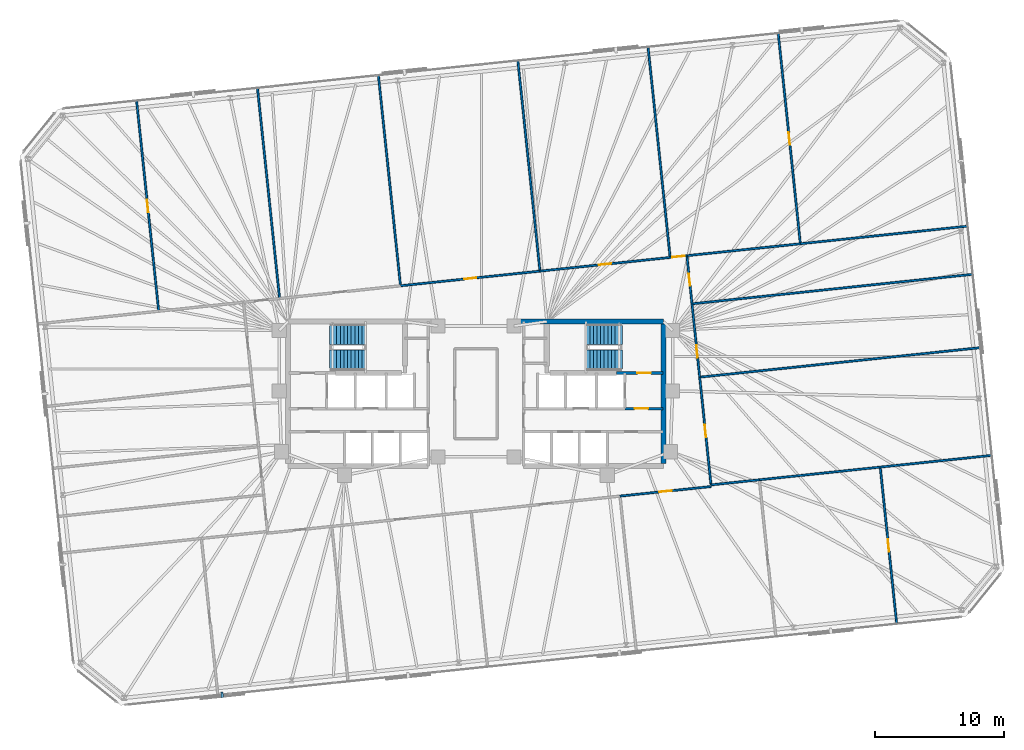
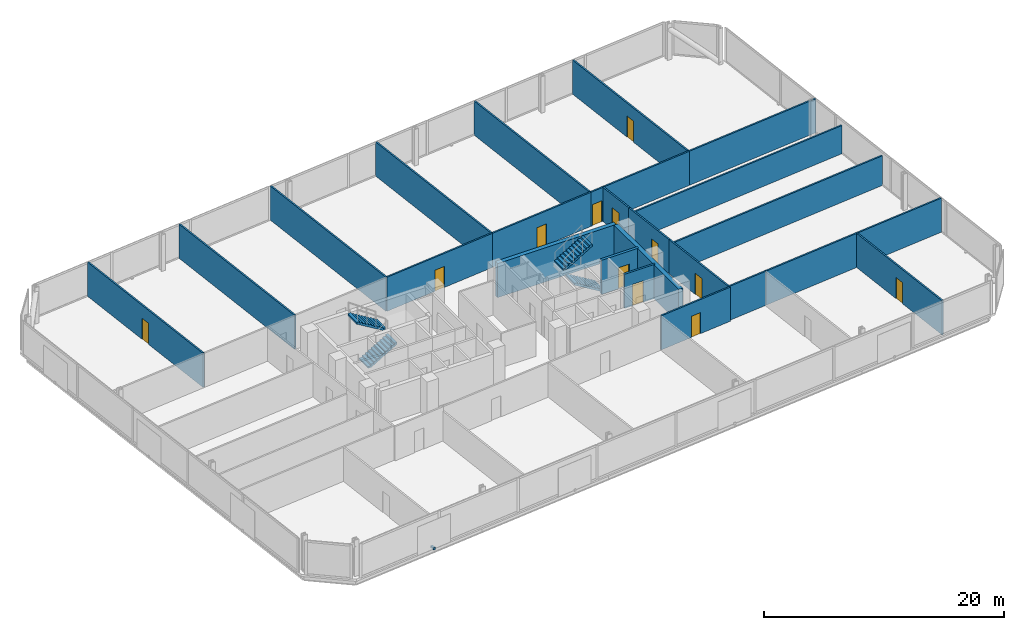
# One storey, part 16 of 18: 25 walls, 12 doors, 4 stair flights, 1 discrete accessory, 12 openings, 2 elements without a shape of their own.
"""IFC4 building model written with IfcOpenShell, lengths in metres."""

from ifc_helpers import new_model, si_unit, direction, frame, frame_2d, origin, origin_2d, place, context, subcontext, project, spatial, polyline, rectangle, outline, extrude, material, layer, layer_set, type_object, element, fill, aggregate, save


model = new_model("IFC4")

# Units and contexts
model_context = context("Model", 3, precision=1e-05, world=origin(), true_north=direction((0.0, 1.0)))
body_context = subcontext(model_context, "Body", "Model", "MODEL_VIEW")
ifc_project = project(units=[si_unit("LENGTHUNIT", "METRE"), si_unit("AREAUNIT", "SQUARE_METRE"), si_unit("VOLUMEUNIT", "CUBIC_METRE"), si_unit("PLANEANGLEUNIT", "RADIAN"), si_unit("MASSUNIT", "GRAM", prefix="KILO")], contexts=[model_context])

# Site, building, storey
site_placement = place(None, origin())
site = spatial("IfcSite", under=ifc_project, at=site_placement, CompositionType="ELEMENT")
building_placement = place(site_placement, origin())
building = spatial("IfcBuilding", under=site, at=building_placement, Name="Menara Jurai Vektor", CompositionType="ELEMENT")
storey_placement = place(building_placement, frame((0.0, 0.0, 120.699951171875)))
storey = spatial("IfcBuildingStorey", under=building, at=storey_placement, Name="L30", CompositionType="ELEMENT", Elevation=120.699951171875)

# Wall, opening, door
ifc_material_1 = material(Name="Concrete C40/50", Category="concrete")
ifc_layer_1 = layer(ifc_material_1, 0.25)
ifc_layer_set_1 = layer_set([ifc_layer_1], Name="Concrete C40/50")
wall_type_1 = type_object("IfcWallType", Name="INT-WALL-CORE-250", PredefinedType="STANDARD", material=ifc_layer_set_1)
wall_1_placement = place(storey_placement, frame((10.89990234375, 1.60009765625, 0.0), z_axis=(0.0, 0.0, 1.0), x_axis=(1.0, 0.0, 0.0)))
wall_1 = element("IfcWall", 1, at=wall_1_placement, inside=storey, type_object=wall_type_1, Name="Interior Wall IW-250 L30", PredefinedType="STANDARD", context=body_context, shape_type="SweptSolid", body=[
    extrude(rectangle(XDim=3.60009765625, YDim=0.25, at=frame_2d((1.800048828125, 0.0))), origin(), (0.0, 0.0, 1.0), 3.47509765625),
])
opening_1_placement = place(wall_1_placement, frame((1.6201171875, 0.0, 0.0)))
opening_1 = element("IfcOpeningElement", 2, at=opening_1_placement, cuts=wall_1, Name="Opening D-L30-ST2", PredefinedType="OPENING", context=body_context, shape_type="SweptSolid", body=[
    extrude(rectangle(XDim=1.050048828125, YDim=2.14990234375, at=frame_2d((0.52490234375, 1.074951171875))), frame((0.0, 0.135009765625, 0.0), z_axis=(0.0, -1.0, 0.0), x_axis=(1.0, 0.0, 0.0)), (0.0, 0.0, 1.0), 0.27001953125),
])
ifc_material_2 = material(Name="Fire-Rated Steel Door", Category="steel")
door_type_1 = type_object("IfcDoorType", Name="DR-STAIR-1050", OperationType="NOTDEFINED", PredefinedType="DOOR", material=ifc_material_2)
door_1_placement = place(opening_1_placement, origin())
door_1 = element("IfcDoor", 3, at=door_1_placement, inside=storey, type_object=door_type_1, Name="Exit Stair ST2 Door L30", OperationType="SINGLE_SWING_LEFT", OverallHeight=2.14990234375, OverallWidth=1.050048828125, PredefinedType="DOOR", context=body_context, shape_type="SweptSolid", body=[
    extrude(rectangle(XDim=1.050048828125, YDim=2.14990234375, at=frame_2d((0.52490234375, 1.074951171875))), frame((0.0, 0.02490234375, 0.0), z_axis=(0.0, -1.0, 0.0), x_axis=(1.0, 0.0, 0.0)), (0.0, 0.0, 1.0), 0.050048828125),
])
fill(opening_1, door_1)

wall_2_placement = place(storey_placement, frame((11.550048828125, -1.14990234375, 0.0), z_axis=(0.0, 0.0, 1.0), x_axis=(1.0, 0.0, 0.0)))
wall_2 = element("IfcWall", 4, at=wall_2_placement, inside=storey, type_object=wall_type_1, Name="Interior Wall IW-250 L30", PredefinedType="STANDARD", context=body_context, shape_type="SweptSolid", body=[
    extrude(rectangle(XDim=2.949951171875, YDim=0.199951171875, at=frame_2d((1.47509765625, 0.0))), origin(), (0.0, 0.0, 1.0), 3.47509765625),
])
opening_2_placement = place(wall_2_placement, frame((0.75, 0.0, 0.0)))
opening_2 = element("IfcOpeningElement", 5, at=opening_2_placement, cuts=wall_2, Name="Opening D-L30-FFE", PredefinedType="OPENING", context=body_context, shape_type="SweptSolid", body=[
    extrude(rectangle(XDim=1.050048828125, YDim=2.179931640625, at=frame_2d((0.52490234375, 1.08984375))), frame((0.0, 0.10986328125, 0.0), z_axis=(0.0, -1.0, 0.0), x_axis=(1.0, 0.0, 0.0)), (0.0, 0.0, 1.0), 0.219970703125),
])
ifc_material_3 = material(Name="Fire-Rated Timber Door", Category="wood")
door_type_2 = type_object("IfcDoorType", Name="DR-LOBBY-1050", OperationType="NOTDEFINED", PredefinedType="DOOR", material=ifc_material_3)
door_2_placement = place(opening_2_placement, origin())
door_2 = element("IfcDoor", 6, at=door_2_placement, inside=storey, type_object=door_type_2, Name="Fire Lift Lobby Door E L30", OperationType="SINGLE_SWING_LEFT", OverallHeight=2.179931640625, OverallWidth=1.050048828125, PredefinedType="DOOR", context=body_context, shape_type="SweptSolid", body=[
    extrude(rectangle(XDim=1.050048828125, YDim=2.179931640625, at=frame_2d((0.52490234375, 1.08984375))), frame((0.0, 0.02490234375, 0.0), z_axis=(0.0, -1.0, 0.0), x_axis=(1.0, 0.0, 0.0)), (0.0, 0.0, 1.0), 0.050048828125),
])
fill(opening_2, door_2)

ifc_material_4 = material(Name="Gypsum Fireboard Partition", Category="gypsum")
ifc_layer_2 = layer(ifc_material_4, 0.14990234375)
ifc_layer_set_2 = layer_set([ifc_layer_2], Name="Gypsum Fireboard Partition")
wall_type_2 = type_object("IfcWallType", Name="INT-WALL-CORR-150", PredefinedType="PARTITIONING", material=ifc_layer_set_2)
wall_3_placement = place(storey_placement, frame((-5.846435546875, 8.369873046875, 0.0), z_axis=(0.0, 0.0, 1.0), x_axis=(0.994522169869, 0.104525851533, 0.0)))
wall_3 = element("IfcWall", 7, at=wall_3_placement, inside=storey, type_object=wall_type_2, Name="Interior Wall IW-150 L30", PredefinedType="PARTITIONING", context=body_context, shape_type="SweptSolid", body=[
    extrude(rectangle(XDim=10.875, YDim=0.14990234375, at=frame_2d((5.4375, 0.0))), origin(), (0.0, 0.0, 1.0), 3.47509765625),
])
opening_3_placement = place(wall_3_placement, frame((4.96240234375, 0.0, 0.0)))
opening_3 = element("IfcOpeningElement", 8, at=opening_3_placement, cuts=wall_3, Name="Opening D30-09", PredefinedType="OPENING", context=body_context, shape_type="SweptSolid", body=[
    extrude(rectangle(XDim=0.949951171875, YDim=2.14990234375, at=frame_2d((0.47509765625, 1.074951171875))), frame((0.0, 0.0849609375, 0.0), z_axis=(0.0, -1.0, 0.0), x_axis=(1.0, 0.0, 0.0)), (0.0, 0.0, 1.0), 0.169921875),
])
ifc_material_5 = material(Name="Solid Core Timber Fire Door", Category="wood")
door_type_3 = type_object("IfcDoorType", Name="DR-ENTRY-950", OperationType="NOTDEFINED", PredefinedType="DOOR", material=ifc_material_5)
door_3_placement = place(opening_3_placement, origin())
door_3 = element("IfcDoor", 9, at=door_3_placement, inside=storey, type_object=door_type_3, Name="Interior Door D30-09", OperationType="SINGLE_SWING_RIGHT", OverallHeight=2.14990234375, OverallWidth=0.949951171875, PredefinedType="DOOR", context=body_context, shape_type="SweptSolid", body=[
    extrude(rectangle(XDim=0.949951171875, YDim=2.14990234375, at=frame_2d((0.47509765625, 1.074951171875))), frame((0.0, 0.02490234375, 0.0), z_axis=(0.0, -1.0, 0.0), x_axis=(1.0, 0.0, 0.0)), (0.0, 0.0, 1.0), 0.050048828125),
])
fill(opening_3, door_3)

wall_4_placement = place(storey_placement, frame((4.968994140625, 9.506591796875, 0.0), z_axis=(0.0, 0.0, 1.0), x_axis=(0.994521257273, 0.104534534165, 0.0)))
wall_4 = element("IfcWall", 10, at=wall_4_placement, inside=storey, type_object=wall_type_2, Name="Interior Wall IW-150 L30", PredefinedType="PARTITIONING", context=body_context, shape_type="SweptSolid", body=[
    extrude(rectangle(XDim=10.150146484375, YDim=0.14990234375, at=frame_2d((5.0751953125, 0.0))), origin(), (0.0, 0.0, 1.0), 3.47509765625),
])
opening_4_placement = place(wall_4_placement, frame((4.60009765625, 0.0, 0.0)))
opening_4 = element("IfcOpeningElement", 11, at=opening_4_placement, cuts=wall_4, Name="Opening D30-10", PredefinedType="OPENING", context=body_context, shape_type="SweptSolid", body=[
    extrude(rectangle(XDim=0.949951171875, YDim=2.14990234375, at=frame_2d((0.47509765625, 1.074951171875))), frame((0.0, 0.0849609375, 0.0), z_axis=(0.0, -1.0, 0.0), x_axis=(1.0, 0.0, 0.0)), (0.0, 0.0, 1.0), 0.169921875),
])
door_4_placement = place(opening_4_placement, origin())
door_4 = element("IfcDoor", 12, at=door_4_placement, inside=storey, type_object=door_type_3, Name="Interior Door D30-10", OperationType="SINGLE_SWING_LEFT", OverallHeight=2.14990234375, OverallWidth=0.949951171875, PredefinedType="DOOR", context=body_context, shape_type="SweptSolid", body=[
    extrude(rectangle(XDim=0.949951171875, YDim=2.14990234375, at=frame_2d((0.47509765625, 1.074951171875))), frame((0.0, 0.02490234375, 0.0), z_axis=(0.0, -1.0, 0.0), x_axis=(1.0, 0.0, 0.0)), (0.0, 0.0, 1.0), 0.050048828125),
])
fill(opening_4, door_4)

wall_5_placement = place(storey_placement, frame((15.0634765625, 10.567626953125, 0.0), z_axis=(0.0, 0.0, 1.0), x_axis=(0.994533054704, 0.104422234707, 0.0)))
wall_5 = element("IfcWall", 13, at=wall_5_placement, inside=storey, type_object=wall_type_2, Name="Interior Wall IW-150 L30", PredefinedType="PARTITIONING", context=body_context, shape_type="SweptSolid", body=[
    extrude(rectangle(XDim=1.306884765625, YDim=0.14990234375, at=frame_2d((0.6533203125, 0.0))), origin(), (0.0, 0.0, 1.0), 3.47509765625),
])
opening_5_placement = place(wall_5_placement, frame((0.178466796875, 0.0, 0.0)))
opening_5 = element("IfcOpeningElement", 14, at=opening_5_placement, cuts=wall_5, Name="Opening D30-11", PredefinedType="OPENING", context=body_context, shape_type="SweptSolid", body=[
    extrude(rectangle(XDim=0.949951171875, YDim=2.14990234375, at=frame_2d((0.47509765625, 1.074951171875))), frame((0.0, 0.0849609375, 0.0), z_axis=(0.0, -1.0, 0.0), x_axis=(1.0, 0.0, 0.0)), (0.0, 0.0, 1.0), 0.169921875),
])
door_5_placement = place(opening_5_placement, origin())
door_5 = element("IfcDoor", 15, at=door_5_placement, inside=storey, type_object=door_type_3, Name="Interior Door D30-11", OperationType="SINGLE_SWING_RIGHT", OverallHeight=2.14990234375, OverallWidth=0.949951171875, PredefinedType="DOOR", context=body_context, shape_type="SweptSolid", body=[
    extrude(rectangle(XDim=0.949951171875, YDim=2.14990234375, at=frame_2d((0.47509765625, 1.074951171875))), frame((0.0, 0.02490234375, 0.0), z_axis=(0.0, -1.0, 0.0), x_axis=(1.0, 0.0, 0.0)), (0.0, 0.0, 1.0), 0.050048828125),
])
fill(opening_5, door_5)

wall_6_placement = place(storey_placement, frame((11.176513671875, -7.93798828125, 0.0), z_axis=(0.0, 0.0, 1.0), x_axis=(0.994525011473, 0.104498811264, 0.0)))
wall_6 = element("IfcWall", 16, at=wall_6_placement, inside=storey, type_object=wall_type_2, Name="Interior Wall IW-150 L30", PredefinedType="PARTITIONING", context=body_context, shape_type="SweptSolid", body=[
    extrude(rectangle(XDim=7.10693359375, YDim=0.14990234375, at=frame_2d((3.553466796875, 0.0))), origin(), (0.0, 0.0, 1.0), 3.47509765625),
])
opening_6_placement = place(wall_6_placement, frame((3.07861328125, 0.0, 0.0)))
opening_6 = element("IfcOpeningElement", 17, at=opening_6_placement, cuts=wall_6, Name="Opening D30-15", PredefinedType="OPENING", context=body_context, shape_type="SweptSolid", body=[
    extrude(rectangle(XDim=0.949951171875, YDim=2.14990234375, at=frame_2d((0.47509765625, 1.074951171875))), frame((0.0, 0.0849609375, 0.0), z_axis=(0.0, -1.0, 0.0), x_axis=(1.0, 0.0, 0.0)), (0.0, 0.0, 1.0), 0.169921875),
])
door_6_placement = place(opening_6_placement, origin())
door_6 = element("IfcDoor", 18, at=door_6_placement, inside=storey, type_object=door_type_3, Name="Interior Door D30-15", OperationType="SINGLE_SWING_RIGHT", OverallHeight=2.14990234375, OverallWidth=0.949951171875, PredefinedType="DOOR", context=body_context, shape_type="SweptSolid", body=[
    extrude(rectangle(XDim=0.949951171875, YDim=2.14990234375, at=frame_2d((0.47509765625, 1.074951171875))), frame((0.0, 0.02490234375, 0.0), z_axis=(0.0, -1.0, 0.0), x_axis=(1.0, 0.0, 0.0)), (0.0, 0.0, 1.0), 0.050048828125),
])
fill(opening_6, door_6)

wall_7_placement = place(storey_placement, frame((18.231201171875, -7.06787109375, 0.0), z_axis=(0.0, 0.0, 1.0), x_axis=(-0.104527419485, 0.994522005074, 0.0)))
wall_7 = element("IfcWall", 19, at=wall_7_placement, inside=storey, type_object=wall_type_2, Name="Interior Wall IW-150 L30", PredefinedType="PARTITIONING", context=body_context, shape_type="SweptSolid", body=[
    extrude(rectangle(XDim=8.39892578125, YDim=0.14990234375, at=frame_2d((4.199462890625, 0.0))), origin(), (0.0, 0.0, 1.0), 3.47509765625),
])
opening_7_placement = place(wall_7_placement, frame((3.724609375, 0.0, 0.0)))
opening_7 = element("IfcOpeningElement", 20, at=opening_7_placement, cuts=wall_7, Name="Opening D30-20", PredefinedType="OPENING", context=body_context, shape_type="SweptSolid", body=[
    extrude(rectangle(XDim=0.949951171875, YDim=2.14990234375, at=frame_2d((0.47509765625, 1.074951171875))), frame((0.0, 0.0849609375, 0.0), z_axis=(0.0, -1.0, 0.0), x_axis=(1.0, 0.0, 0.0)), (0.0, 0.0, 1.0), 0.169921875),
])
door_7_placement = place(opening_7_placement, origin())
door_7 = element("IfcDoor", 21, at=door_7_placement, inside=storey, type_object=door_type_3, Name="Interior Door D30-20", OperationType="SINGLE_SWING_LEFT", OverallHeight=2.14990234375, OverallWidth=0.949951171875, PredefinedType="DOOR", context=body_context, shape_type="SweptSolid", body=[
    extrude(rectangle(XDim=0.949951171875, YDim=2.14990234375, at=frame_2d((0.47509765625, 1.074951171875))), frame((0.0, 0.02490234375, 0.0), z_axis=(0.0, -1.0, 0.0), x_axis=(1.0, 0.0, 0.0)), (0.0, 0.0, 1.0), 0.050048828125),
])
fill(opening_7, door_7)

wall_8_placement = place(storey_placement, frame((17.353271484375, 1.28515625, 0.0), z_axis=(0.0, 0.0, 1.0), x_axis=(-0.104524753323, 0.994522285292, 0.0)))
wall_8 = element("IfcWall", 22, at=wall_8_placement, inside=storey, type_object=wall_type_2, Name="Interior Wall IW-150 L30", PredefinedType="PARTITIONING", context=body_context, shape_type="SweptSolid", body=[
    extrude(rectangle(XDim=5.7177734375, YDim=0.14990234375, at=frame_2d((2.85888671875, 0.0))), origin(), (0.0, 0.0, 1.0), 3.47509765625),
])
opening_8_placement = place(wall_8_placement, frame((1.5263671875, 0.0, 0.0)))
opening_8 = element("IfcOpeningElement", 23, at=opening_8_placement, cuts=wall_8, Name="Opening D30-21", PredefinedType="OPENING", context=body_context, shape_type="SweptSolid", body=[
    extrude(rectangle(XDim=0.949951171875, YDim=2.14990234375, at=frame_2d((0.47509765625, 1.074951171875))), frame((0.0, 0.0849609375, 0.0), z_axis=(0.0, -1.0, 0.0), x_axis=(1.0, 0.0, 0.0)), (0.0, 0.0, 1.0), 0.169921875),
])
door_8_placement = place(opening_8_placement, origin())
door_8 = element("IfcDoor", 24, at=door_8_placement, inside=storey, type_object=door_type_3, Name="Interior Door D30-21", OperationType="SINGLE_SWING_RIGHT", OverallHeight=2.14990234375, OverallWidth=0.949951171875, PredefinedType="DOOR", context=body_context, shape_type="SweptSolid", body=[
    extrude(rectangle(XDim=0.949951171875, YDim=2.14990234375, at=frame_2d((0.47509765625, 1.074951171875))), frame((0.0, 0.02490234375, 0.0), z_axis=(0.0, -1.0, 0.0), x_axis=(1.0, 0.0, 0.0)), (0.0, 0.0, 1.0), 0.050048828125),
])
fill(opening_8, door_8)

wall_9_placement = place(storey_placement, frame((16.755615234375, 6.9716796875, 0.0), z_axis=(0.0, 0.0, 1.0), x_axis=(-0.104539173002, 0.994520769671, 0.0)))
wall_9 = element("IfcWall", 25, at=wall_9_placement, inside=storey, type_object=wall_type_2, Name="Interior Wall IW-150 L30", PredefinedType="PARTITIONING", context=body_context, shape_type="SweptSolid", body=[
    extrude(rectangle(XDim=3.7529296875, YDim=0.14990234375, at=frame_2d((1.87646484375, 0.0))), origin(), (0.0, 0.0, 1.0), 3.47509765625),
])
opening_9_placement = place(wall_9_placement, frame((1.401611328125, 0.0, 0.0)))
opening_9 = element("IfcOpeningElement", 26, at=opening_9_placement, cuts=wall_9, Name="Opening D30-22", PredefinedType="OPENING", context=body_context, shape_type="SweptSolid", body=[
    extrude(rectangle(XDim=0.949951171875, YDim=2.14990234375, at=frame_2d((0.47509765625, 1.074951171875))), frame((0.0, 0.0849609375, 0.0), z_axis=(0.0, -1.0, 0.0), x_axis=(1.0, 0.0, 0.0)), (0.0, 0.0, 1.0), 0.169921875),
])
door_9_placement = place(opening_9_placement, origin())
door_9 = element("IfcDoor", 27, at=door_9_placement, inside=storey, type_object=door_type_3, Name="Interior Door D30-22", OperationType="SINGLE_SWING_LEFT", OverallHeight=2.14990234375, OverallWidth=0.949951171875, PredefinedType="DOOR", context=body_context, shape_type="SweptSolid", body=[
    extrude(rectangle(XDim=0.949951171875, YDim=2.14990234375, at=frame_2d((0.47509765625, 1.074951171875))), frame((0.0, 0.02490234375, 0.0), z_axis=(0.0, -1.0, 0.0), x_axis=(1.0, 0.0, 0.0)), (0.0, 0.0, 1.0), 0.050048828125),
])
fill(opening_9, door_9)

wall_10_placement = place(storey_placement, frame((-24.593017578125, 6.3994140625, 0.0), z_axis=(0.0, 0.0, 1.0), x_axis=(-0.104534533453, 0.994521257347, 0.0)))
wall_10 = element("IfcWall", 28, at=wall_10_placement, inside=storey, type_object=wall_type_2, Name="Interior Wall IW-150 L30", PredefinedType="PARTITIONING", context=body_context, shape_type="SweptSolid", body=[
    extrude(rectangle(XDim=16.4091796875, YDim=0.14990234375, at=frame_2d((8.20458984375, 0.0))), origin(), (0.0, 0.0, 1.0), 3.47509765625),
])
opening_10_placement = place(wall_10_placement, frame((7.7294921875, 0.0, 0.0)))
opening_10 = element("IfcOpeningElement", 29, at=opening_10_placement, cuts=wall_10, Name="Opening D30-23", PredefinedType="OPENING", context=body_context, shape_type="SweptSolid", body=[
    extrude(rectangle(XDim=0.949951171875, YDim=2.14990234375, at=frame_2d((0.47509765625, 1.074951171875))), frame((0.0, 0.0849609375, 0.0), z_axis=(0.0, -1.0, 0.0), x_axis=(1.0, 0.0, 0.0)), (0.0, 0.0, 1.0), 0.169921875),
])
door_10_placement = place(opening_10_placement, origin())
door_10 = element("IfcDoor", 30, at=door_10_placement, inside=storey, type_object=door_type_3, Name="Interior Door D30-23", OperationType="SINGLE_SWING_RIGHT", OverallHeight=2.14990234375, OverallWidth=0.949951171875, PredefinedType="DOOR", context=body_context, shape_type="SweptSolid", body=[
    extrude(rectangle(XDim=0.949951171875, YDim=2.14990234375, at=frame_2d((0.47509765625, 1.074951171875))), frame((0.0, 0.02490234375, 0.0), z_axis=(0.0, -1.0, 0.0), x_axis=(1.0, 0.0, 0.0)), (0.0, 0.0, 1.0), 0.050048828125),
])
fill(opening_10, door_10)

# Walls
for number, where, z_axis, x_axis, name in (
    (31, (-15.2197265625, 7.384765625, 0.0), (0.0, 0.0, 1.0), (-0.104536080245, 0.994521094762, 0.0), "Interior Wall IW-150 L30"),
    (32, (-5.846435546875, 8.369873046875, 0.0), (0.0, 0.0, 1.0), (-0.104521364336, 0.99452264147, 0.0), "Interior Wall IW-150 L30"),
    (33, (4.968994140625, 9.506591796875, 0.0), (0.0, 0.0, 1.0), (-0.104521364336, 0.99452264147, 0.0), "Interior Wall IW-150 L30"),
    (34, (15.0634765625, 10.567626953125, 0.0), (0.0, 0.0, 1.0), (-0.104536080245, 0.994521094762, 0.0), "Interior Wall IW-150 L30"),
):
    element("IfcWall", number, at=place(storey_placement, frame(where, z_axis=z_axis, x_axis=x_axis)), inside=storey, type_object=wall_type_2, Name=name, PredefinedType="PARTITIONING", context=body_context, shape_type="SweptSolid", body=[
        extrude(rectangle(XDim=16.408935546875, YDim=0.14990234375, at=frame_2d((8.20458984375, 0.0))), origin(), (0.0, 0.0, 1.0), 3.47509765625),
    ])

# Wall, opening, door
wall_11_placement = place(storey_placement, frame((25.15771484375, 11.628662109375, 0.0), z_axis=(0.0, 0.0, 1.0), x_axis=(-0.104521364336, 0.99452264147, 0.0)))
wall_11 = element("IfcWall", 35, at=wall_11_placement, inside=storey, type_object=wall_type_2, Name="Interior Wall IW-150 L30", PredefinedType="PARTITIONING", context=body_context, shape_type="SweptSolid", body=[
    extrude(rectangle(XDim=16.408935546875, YDim=0.14990234375, at=frame_2d((8.20458984375, 0.0))), origin(), (0.0, 0.0, 1.0), 3.47509765625),
])
opening_11_placement = place(wall_11_placement, frame((7.7294921875, 0.0, 0.0)))
opening_11 = element("IfcOpeningElement", 36, at=opening_11_placement, cuts=wall_11, Name="Opening D30-24", PredefinedType="OPENING", context=body_context, shape_type="SweptSolid", body=[
    extrude(rectangle(XDim=0.949951171875, YDim=2.14990234375, at=frame_2d((0.47509765625, 1.074951171875))), frame((0.0, 0.0849609375, 0.0), z_axis=(0.0, -1.0, 0.0), x_axis=(1.0, 0.0, 0.0)), (0.0, 0.0, 1.0), 0.169921875),
])
door_11_placement = place(opening_11_placement, origin())
door_11 = element("IfcDoor", 37, at=door_11_placement, inside=storey, type_object=door_type_3, Name="Interior Door D30-24", OperationType="SINGLE_SWING_LEFT", OverallHeight=2.14990234375, OverallWidth=0.949951171875, PredefinedType="DOOR", context=body_context, shape_type="SweptSolid", body=[
    extrude(rectangle(XDim=0.949951171875, YDim=2.14990234375, at=frame_2d((0.47509765625, 1.074951171875))), frame((0.0, 0.02490234375, 0.0), z_axis=(0.0, -1.0, 0.0), x_axis=(1.0, 0.0, 0.0)), (0.0, 0.0, 1.0), 0.050048828125),
])
fill(opening_11, door_11)

# Walls
wall_12_placement = place(storey_placement, frame((16.36328125, 10.7041015625, 0.0), z_axis=(0.0, 0.0, 1.0), x_axis=(0.994519210833, 0.104554001761, 0.0)))
element("IfcWall", 38, at=wall_12_placement, inside=storey, type_object=wall_type_2, Name="Interior Wall IW-150 L30", PredefinedType="PARTITIONING", context=body_context, shape_type="SweptSolid", body=[
    extrude(rectangle(XDim=8.843017578125, YDim=0.14990234375, at=frame_2d((4.42138671875, 0.0))), origin(), (0.0, 0.0, 1.0), 3.47509765625),
])
wall_13_placement = place(storey_placement, frame((25.15771484375, 11.628662109375, 0.0), z_axis=(0.0, 0.0, 1.0), x_axis=(0.994522558816, 0.104522150792, 0.0)))
element("IfcWall", 39, at=wall_13_placement, inside=storey, type_object=wall_type_2, Name="Interior Wall IW-150 L30", PredefinedType="PARTITIONING", context=body_context, shape_type="SweptSolid", body=[
    extrude(rectangle(XDim=13.050048828125, YDim=0.14990234375, at=frame_2d((6.52490234375, 0.0))), origin(), (0.0, 0.0, 1.0), 3.47509765625),
])
wall_14_placement = place(storey_placement, frame((18.231201171875, -7.06787109375, 0.0), z_axis=(0.0, 0.0, 1.0), x_axis=(0.99452354487, 0.10451276812, 0.0)))
element("IfcWall", 40, at=wall_14_placement, inside=storey, type_object=wall_type_2, Name="Interior Wall IW-150 L30", PredefinedType="PARTITIONING", context=body_context, shape_type="SweptSolid", body=[
    extrude(rectangle(XDim=3.76806640625, YDim=0.14990234375, at=frame_2d((1.884033203125, 0.0))), origin(), (0.0, 0.0, 1.0), 3.47509765625),
])

# Wall, opening, door
wall_15_placement = place(storey_placement, frame((32.62939453125, -17.843017578125, 0.0), z_axis=(0.0, 0.0, 1.0), x_axis=(-0.104538159751, 0.994520876179, 0.0)))
wall_15 = element("IfcWall", 41, at=wall_15_placement, inside=storey, type_object=wall_type_2, Name="Interior Wall IW-150 L30", PredefinedType="PARTITIONING", context=body_context, shape_type="SweptSolid", body=[
    extrude(rectangle(XDim=12.22119140625, YDim=0.14990234375, at=frame_2d((6.110595703125, 0.0))), origin(), (0.0, 0.0, 1.0), 3.47509765625),
])
opening_12_placement = place(wall_15_placement, frame((5.635498046875, 0.0, 0.0)))
opening_12 = element("IfcOpeningElement", 42, at=opening_12_placement, cuts=wall_15, Name="Opening D30-27", PredefinedType="OPENING", context=body_context, shape_type="SweptSolid", body=[
    extrude(rectangle(XDim=0.949951171875, YDim=2.14990234375, at=frame_2d((0.47509765625, 1.074951171875))), frame((0.0, 0.0849609375, 0.0), z_axis=(0.0, -1.0, 0.0), x_axis=(1.0, 0.0, 0.0)), (0.0, 0.0, 1.0), 0.169921875),
])
door_12_placement = place(opening_12_placement, origin())
door_12 = element("IfcDoor", 43, at=door_12_placement, inside=storey, type_object=door_type_3, Name="Interior Door D30-27", OperationType="SINGLE_SWING_RIGHT", OverallHeight=2.14990234375, OverallWidth=0.949951171875, PredefinedType="DOOR", context=body_context, shape_type="SweptSolid", body=[
    extrude(rectangle(XDim=0.949951171875, YDim=2.14990234375, at=frame_2d((0.47509765625, 1.074951171875))), frame((0.0, 0.02490234375, 0.0), z_axis=(0.0, -1.0, 0.0), x_axis=(1.0, 0.0, 0.0)), (0.0, 0.0, 1.0), 0.050048828125),
])
fill(opening_12, door_12)

# Walls
wall_16_placement = place(storey_placement, frame((21.978515625, -6.674072265625, 0.0), z_axis=(0.0, 0.0, 1.0), x_axis=(0.994519921083, 0.10454724563, 0.0)))
element("IfcWall", 44, at=wall_16_placement, inside=storey, type_object=wall_type_2, Name="Interior Wall IW-150 L30", PredefinedType="PARTITIONING", context=body_context, shape_type="SweptSolid", body=[
    extrude(rectangle(XDim=9.425048828125, YDim=0.14990234375, at=frame_2d((4.71240234375, 0.0))), origin(), (0.0, 0.0, 1.0), 3.47509765625),
])
wall_17_placement = place(storey_placement, frame((31.351806640625, -5.688720703125, 0.0), z_axis=(0.0, 0.0, 1.0), x_axis=(0.994521893041, 0.104528485415, 0.0)))
element("IfcWall", 45, at=wall_17_placement, inside=storey, type_object=wall_type_2, Name="Interior Wall IW-150 L30", PredefinedType="PARTITIONING", context=body_context, shape_type="SweptSolid", body=[
    extrude(rectangle(XDim=8.7001953125, YDim=0.14990234375, at=frame_2d((4.35009765625, 0.0))), origin(), (0.0, 0.0, 1.0), 3.47509765625),
])
ifc_layer_3 = layer(ifc_material_4, 0.14990234375)
ifc_layer_set_3 = layer_set([ifc_layer_3], Name="Gypsum Fireboard Partition")
wall_type_3 = type_object("IfcWallType", Name="INT-WALL-CORR-150-H1", PredefinedType="PARTITIONING", material=ifc_layer_set_3)
wall_18_placement = place(storey_placement, frame((17.353271484375, 1.28515625, 0.0), z_axis=(0.0, 0.0, 1.0), x_axis=(0.994522365919, 0.104523986183, 0.0)))
element("IfcWall", 46, at=wall_18_placement, inside=storey, type_object=wall_type_3, Name="Interior Wall IW-150 L30", PredefinedType="PARTITIONING", context=body_context, shape_type="SweptSolid", body=[
    extrude(rectangle(XDim=21.892822265625, YDim=0.14990234375, at=frame_2d((10.9462890625, 0.0))), origin(), (0.0, 0.0, 1.0), 3.025146484375),
])
ifc_layer_4 = layer(ifc_material_4, 0.14990234375)
ifc_layer_set_4 = layer_set([ifc_layer_4], Name="Gypsum Fireboard Partition")
wall_type_4 = type_object("IfcWallType", Name="INT-WALL-CORR-150-H2", PredefinedType="PARTITIONING", material=ifc_layer_set_4)
wall_19_placement = place(storey_placement, frame((16.755615234375, 6.9716796875, 0.0), z_axis=(0.0, 0.0, 1.0), x_axis=(0.994521206634, 0.104535015934, 0.0)))
element("IfcWall", 47, at=wall_19_placement, inside=storey, type_object=wall_type_4, Name="Interior Wall IW-150 L30", PredefinedType="PARTITIONING", context=body_context, shape_type="SweptSolid", body=[
    extrude(rectangle(XDim=21.892822265625, YDim=0.14990234375, at=frame_2d((10.9462890625, 0.0))), origin(), (0.0, 0.0, 1.0), 2.875),
])
ifc_material_6 = material(Name="Concrete C50/60", Category="concrete")
ifc_layer_5 = layer(ifc_material_6, 0.39990234375)
ifc_layer_set_5 = layer_set([ifc_layer_5], Name="Concrete C50/60")
wall_type_5 = type_object("IfcWallType", Name="STR-WALL-CORE400", PredefinedType="SHEAR", material=ifc_layer_set_5)
wall_20_placement = place(storey_placement, frame((3.14990234375, 5.60009765625, 0.0), z_axis=(0.0, 0.0, 1.0), x_axis=(1.0, 0.0, 0.0)))
element("IfcWall", 48, at=wall_20_placement, inside=storey, type_object=wall_type_5, Name="Core Shear Wall CW-E-N L30", PredefinedType="SHEAR", context=body_context, shape_type="SweptSolid", body=[
    extrude(rectangle(XDim=11.41015625, YDim=0.39990234375, at=frame_2d((5.705078125, 0.0))), origin(), (0.0, 0.0, 1.0), 3.47509765625),
])
wall_21_placement = place(storey_placement, frame((14.56005859375, -5.39990234375, 0.0), z_axis=(0.0, 0.0, 1.0), x_axis=(0.0, 1.0, 0.0)))
element("IfcWall", 49, at=wall_21_placement, inside=storey, type_object=wall_type_5, Name="Core Shear Wall CW-E-E L30", PredefinedType="SHEAR", context=body_context, shape_type="SweptSolid", body=[
    extrude(rectangle(XDim=10.7998046875, YDim=0.39990234375, at=frame_2d((5.39990234375, 0.0))), origin(), (0.0, 0.0, 1.0), 3.47509765625),
])

# Stair, stair flights
stair_type = type_object("IfcStairType", Name="STAIR-DOGLEG-1500", PredefinedType="HALF_TURN_STAIR", material=ifc_material_1)
stair_1_placement = place(storey_placement, origin())
stair_1 = element("IfcStair", 50, at=stair_1_placement, inside=storey, type_object=stair_type, Name="Protected Exit Stair ST1 L30", PredefinedType="HALF_TURN_STAIR")
stair_flight_type = type_object("IfcStairFlightType", Name="STAIR-FLIGHT-1500", PredefinedType="STRAIGHT", material=ifc_material_1)
stair_flight_1_placement = place(storey_placement, frame((-11.35009765625, 2.64990234375, 0.0), z_axis=(0.0, 0.0, 1.0), x_axis=(1.0, 0.0, 0.0)))
stair_flight_1 = element("IfcStairFlight", 51, at=stair_flight_1_placement, type_object=stair_flight_type, Name="ST1 flight 1", NumberOfRisers=11, NumberOfTreads=10, PredefinedType="STRAIGHT", RiserHeight=0.168182, TreadLength=0.28, context=body_context, shape_type="SweptSolid", body=[
    extrude(outline(polyline([(0.0, 0.0), (0.0, 0.168212890625), (0.280029296875, 0.168212890625), (0.280029296875, 0.33642578125), (0.56005859375, 0.33642578125), (0.56005859375, 0.504638671875), (0.840087890625, 0.504638671875), (0.840087890625, 0.672607421875), (1.1201171875, 0.672607421875), (1.1201171875, 0.8408203125), (1.39990234375, 0.8408203125), (1.39990234375, 1.009033203125), (1.679931640625, 1.009033203125), (1.679931640625, 1.17724609375), (1.9599609375, 1.17724609375), (1.9599609375, 1.345458984375), (2.239990234375, 1.345458984375), (2.239990234375, 1.513671875), (2.52001953125, 1.513671875), (2.52001953125, 1.681884765625), (2.800048828125, 1.681884765625), (2.800048828125, 1.85009765625), (2.800048828125, 1.495361328125), (0.310546875, 0.0), (0.0, 0.0)])), frame((0.0, 0.75, 0.0), z_axis=(0.0, -1.0, 0.0), x_axis=(1.0, 0.0, 0.0)), (0.0, 0.0, 1.0), 1.5),
])
stair_flight_2_placement = place(storey_placement, frame((-8.550048828125, 4.550048828125, 1.85009765625), z_axis=(0.0, 0.0, 1.0), x_axis=(-1.0, 0.0, 0.0)))
stair_flight_2 = element("IfcStairFlight", 52, at=stair_flight_2_placement, type_object=stair_flight_type, Name="ST1 flight 2", NumberOfRisers=11, NumberOfTreads=10, PredefinedType="STRAIGHT", RiserHeight=0.168182, TreadLength=0.28, context=body_context, shape_type="SweptSolid", body=[
    extrude(outline(polyline([(0.0, 0.0), (0.0, 0.168212890625), (0.280029296875, 0.168212890625), (0.280029296875, 0.33642578125), (0.56005859375, 0.33642578125), (0.56005859375, 0.504638671875), (0.840087890625, 0.504638671875), (0.840087890625, 0.672607421875), (1.1201171875, 0.672607421875), (1.1201171875, 0.8408203125), (1.39990234375, 0.8408203125), (1.39990234375, 1.009033203125), (1.679931640625, 1.009033203125), (1.679931640625, 1.17724609375), (1.9599609375, 1.17724609375), (1.9599609375, 1.345458984375), (2.239990234375, 1.345458984375), (2.239990234375, 1.513671875), (2.52001953125, 1.513671875), (2.52001953125, 1.681884765625), (2.800048828125, 1.681884765625), (2.800048828125, 1.85009765625), (2.800048828125, 1.495361328125), (0.310546875, 0.0), (0.0, 0.0)])), frame((0.0, 0.75, 0.0), z_axis=(0.0, -1.0, 0.0), x_axis=(1.0, 0.0, 0.0)), (0.0, 0.0, 1.0), 1.5),
])
aggregate(stair_1, [stair_flight_1, stair_flight_2])

stair_2_placement = place(storey_placement, origin())
stair_2 = element("IfcStair", 53, at=stair_2_placement, inside=storey, type_object=stair_type, Name="Protected Exit Stair ST2 L30", PredefinedType="HALF_TURN_STAIR")
stair_flight_3_placement = place(storey_placement, frame((11.35009765625, 2.64990234375, 0.0), z_axis=(0.0, 0.0, 1.0), x_axis=(-1.0, 0.0, 0.0)))
stair_flight_3 = element("IfcStairFlight", 54, at=stair_flight_3_placement, type_object=stair_flight_type, Name="ST2 flight 1", NumberOfRisers=11, NumberOfTreads=10, PredefinedType="STRAIGHT", RiserHeight=0.168182, TreadLength=0.28, context=body_context, shape_type="SweptSolid", body=[
    extrude(outline(polyline([(0.0, 0.0), (0.0, 0.168212890625), (0.280029296875, 0.168212890625), (0.280029296875, 0.33642578125), (0.56005859375, 0.33642578125), (0.56005859375, 0.504638671875), (0.840087890625, 0.504638671875), (0.840087890625, 0.672607421875), (1.1201171875, 0.672607421875), (1.1201171875, 0.8408203125), (1.39990234375, 0.8408203125), (1.39990234375, 1.009033203125), (1.679931640625, 1.009033203125), (1.679931640625, 1.17724609375), (1.9599609375, 1.17724609375), (1.9599609375, 1.345458984375), (2.239990234375, 1.345458984375), (2.239990234375, 1.513671875), (2.52001953125, 1.513671875), (2.52001953125, 1.681884765625), (2.800048828125, 1.681884765625), (2.800048828125, 1.85009765625), (2.800048828125, 1.495361328125), (0.310546875, 0.0), (0.0, 0.0)])), frame((0.0, 0.75, 0.0), z_axis=(0.0, -1.0, 0.0), x_axis=(1.0, 0.0, 0.0)), (0.0, 0.0, 1.0), 1.5),
])
stair_flight_4_placement = place(storey_placement, frame((8.550048828125, 4.550048828125, 1.85009765625), z_axis=(0.0, 0.0, 1.0), x_axis=(1.0, 0.0, 0.0)))
stair_flight_4 = element("IfcStairFlight", 55, at=stair_flight_4_placement, type_object=stair_flight_type, Name="ST2 flight 2", NumberOfRisers=11, NumberOfTreads=10, PredefinedType="STRAIGHT", RiserHeight=0.168182, TreadLength=0.28, context=body_context, shape_type="SweptSolid", body=[
    extrude(outline(polyline([(0.0, 0.0), (0.0, 0.168212890625), (0.280029296875, 0.168212890625), (0.280029296875, 0.33642578125), (0.56005859375, 0.33642578125), (0.56005859375, 0.504638671875), (0.840087890625, 0.504638671875), (0.840087890625, 0.672607421875), (1.1201171875, 0.672607421875), (1.1201171875, 0.8408203125), (1.39990234375, 0.8408203125), (1.39990234375, 1.009033203125), (1.679931640625, 1.009033203125), (1.679931640625, 1.17724609375), (1.9599609375, 1.17724609375), (1.9599609375, 1.345458984375), (2.239990234375, 1.345458984375), (2.239990234375, 1.513671875), (2.52001953125, 1.513671875), (2.52001953125, 1.681884765625), (2.800048828125, 1.681884765625), (2.800048828125, 1.85009765625), (2.800048828125, 1.495361328125), (0.310546875, 0.0), (0.0, 0.0)])), frame((0.0, 0.75, 0.0), z_axis=(0.0, -1.0, 0.0), x_axis=(1.0, 0.0, 0.0)), (0.0, 0.0, 1.0), 1.5),
])
aggregate(stair_2, [stair_flight_3, stair_flight_4])

# Discrete accessory
ifc_material_7 = material(Name="Steel S355", Category="steel")
discrete_accessory_type = type_object("IfcDiscreteAccessoryType", Name="ENV-ACC-BRACKET", PredefinedType="BRACKET", material=ifc_material_7)
discrete_accessory_placement = place(storey_placement, frame((-19.673583984375, -23.35009765625, -0.1298828125), z_axis=(0.0, 0.0, 1.0), x_axis=(0.994521895368, 0.104528463268, 0.0)))
element("IfcDiscreteAccessory", 56, at=discrete_accessory_placement, inside=storey, type_object=discrete_accessory_type, Name="Solar Screen Stand-Off Bracket L30-S01", PredefinedType="BRACKET", context=body_context, shape_type="SweptSolid", body=[
    extrude(rectangle(XDim=0.179931640625, YDim=0.43994140625, at=origin_2d()), origin(), (0.0, 0.0, 1.0), 0.219970703125),
])

save(model, "model.ifc")
